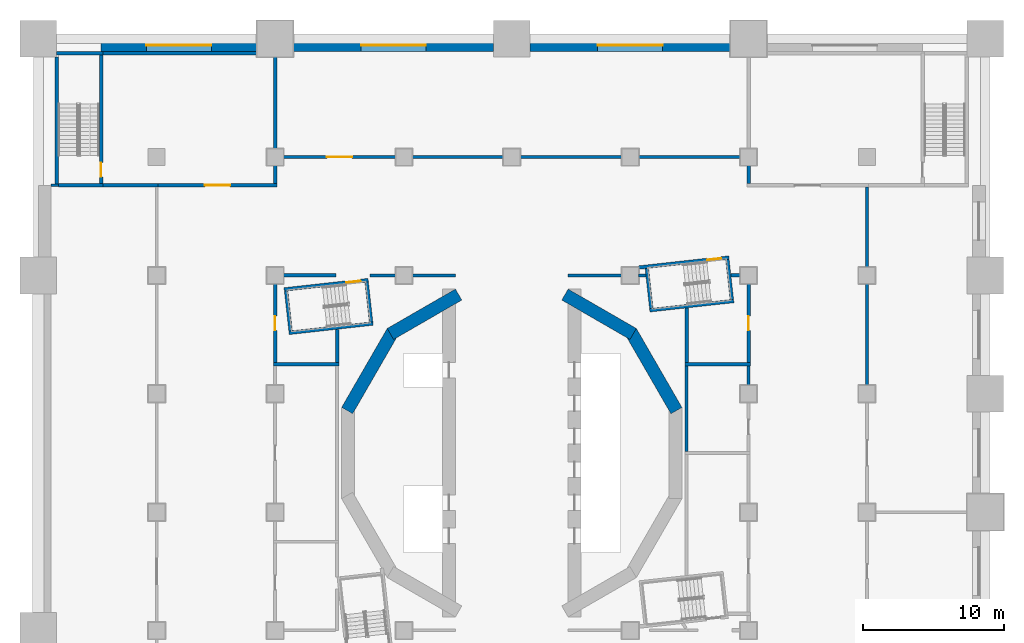
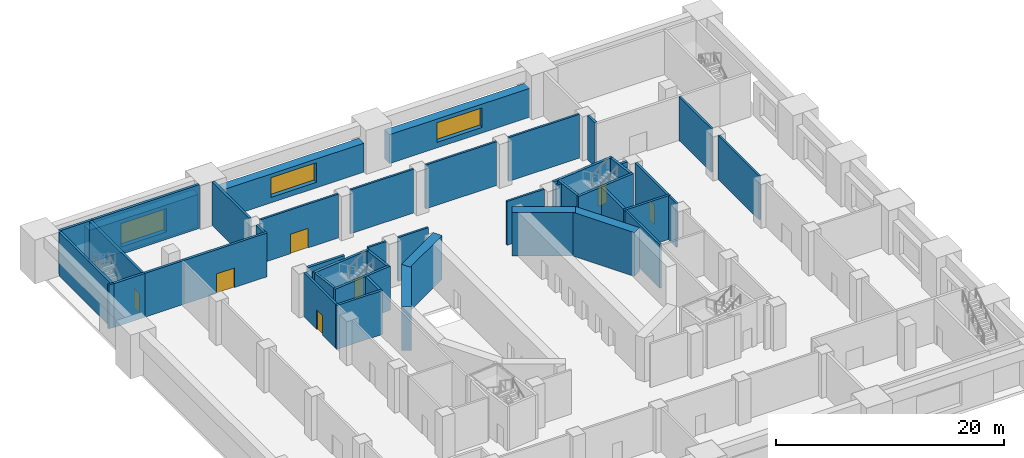
# One storey, part 4 of 17: 46 walls, 7 doors, 3 windows, 10 openings.
"""IFC4 building model written with IfcOpenShell, lengths in metres."""

import ifcopenshell
import ifcopenshell.guid

model = None  # the IFC model being written
_history = None  # IfcOwnerHistory: only IFC2X3 demands one
_inside = {}  # id of a spatial element -> (the spatial element, [elements in it])
_under = {}  # id of a project, library or spatial element -> (it, [spatial elements below it])
_declared = {}  # id of a project -> (the project, [libraries it declares])
_typed = {}  # id of a type object -> (the type object, [elements of that type])
_made_of = {}  # id of a material, layer set ... -> (it, [elements and type objects made of it])


def new_model(schema):
    """Start an empty IFC model of exactly this schema.

    Asked for "IFC4X3", IfcOpenShell would pick the latest addendum, in which some entities
    have other attributes; the version numbers below select the first issue.
    IFC2X3 requires an IfcOwnerHistory on every rooted entity: one is made here for all.
    """
    global model, _history
    if schema == "IFC4X3":
        model = ifcopenshell.file(schema_version=(4, 3, 0, 0))
    else:
        model = ifcopenshell.file(schema=schema)
    _inside.clear()
    _under.clear()
    _declared.clear()
    _typed.clear()
    _made_of.clear()
    _history = None
    if model.schema == "IFC2X3":
        org = make("IfcOrganization", Name="unknown")
        user = make(
            "IfcPersonAndOrganization",
            ThePerson=make("IfcPerson", FamilyName="unknown"),
            TheOrganization=org,
        )
        app = make(
            "IfcApplication",
            ApplicationDeveloper=org,
            Version="unknown",
            ApplicationFullName="unknown",
            ApplicationIdentifier="unknown",
        )
        _history = make(
            "IfcOwnerHistory",
            OwningUser=user,
            OwningApplication=app,
            ChangeAction="ADDED",
            CreationDate=0,
        )
    return model


def make(cls, **values):
    """One entity of the class cls with the attributes given. An attribute that is None is left unset."""
    return model.create_entity(
        cls, **{name: value for name, value in values.items() if value is not None}
    )


def rooted(cls, **values):
    """An entity with a GlobalId (a new one), such as an element, a storey or a relation."""
    return make(cls, GlobalId=ifcopenshell.guid.new(), OwnerHistory=_history, **values)


def si_unit(unit_type, name, prefix=None):
    """IfcSIUnit, for example si_unit("LENGTHUNIT", "METRE", prefix="MILLI")."""
    return make("IfcSIUnit", UnitType=unit_type, Prefix=prefix, Name=name)


def assignment(units):
    """IfcUnitAssignment: the units of a project."""
    return None if units is None else make("IfcUnitAssignment", Units=units)


def point(xyz):
    """IfcCartesianPoint."""
    return None if xyz is None else make("IfcCartesianPoint", Coordinates=xyz)


def direction(xyz):
    """IfcDirection."""
    return None if xyz is None else make("IfcDirection", DirectionRatios=xyz)


def frame(location, z_axis=None, x_axis=None):
    """IfcAxis2Placement3D, a coordinate frame: its origin and axes. An axis left out is left unset."""
    return make(
        "IfcAxis2Placement3D",
        Location=point(location),
        Axis=direction(z_axis),
        RefDirection=direction(x_axis),
    )


def frame_2d(location, x_axis=None):
    """IfcAxis2Placement2D, a coordinate frame in the plane: its origin and x axis."""
    return make(
        "IfcAxis2Placement2D", Location=point(location), RefDirection=direction(x_axis)
    )


def origin():
    """The frame at (0, 0, 0) with its axes left unset."""
    return frame((0.0, 0.0, 0.0))


def place(relative_to, where):
    """IfcLocalPlacement: puts the frame where relative to a parent placement (None: the world)."""
    return make(
        "IfcLocalPlacement", PlacementRelTo=relative_to, RelativePlacement=where
    )


def context(
    kind, dimensions, precision=None, world=None, true_north=None, identifier=None
):
    """IfcGeometricRepresentationContext, for example the 3D "Model" context."""
    return make(
        "IfcGeometricRepresentationContext",
        ContextIdentifier=identifier,
        ContextType=kind,
        CoordinateSpaceDimension=dimensions,
        Precision=precision,
        WorldCoordinateSystem=world,
        TrueNorth=true_north,
    )


def subcontext(parent, identifier, kind, view, scale=None):
    """IfcGeometricRepresentationSubContext, for example "Body" below "Model"."""
    return make(
        "IfcGeometricRepresentationSubContext",
        ContextIdentifier=identifier,
        ContextType=kind,
        ParentContext=parent,
        TargetScale=scale,
        TargetView=view,
    )


def project(units=None, contexts=None):
    """IfcProject with its units and contexts."""
    return rooted(
        "IfcProject",
        Name="project",
        RepresentationContexts=contexts,
        UnitsInContext=assignment(units),
    )


def spatial(cls, under=None, at=None, **own):
    """A site, building, storey or space (cls), placed at a placement, below another one or the project."""
    s = rooted(cls, ObjectPlacement=at, **own)
    if under is not None:
        _under.setdefault(under.id(), (under, []))[1].append(s)
    return s


def profile(cls, at=None, kind="AREA", **sizes):
    """A parametric profile (cls). Its sizes go by their IFC names, for example OverallWidth=200.0."""
    return make(cls, ProfileType=kind, Position=at, **sizes)


def rectangle(**sizes):
    """IfcRectangleProfileDef."""
    return profile("IfcRectangleProfileDef", **sizes)


def extrude(swept, where, along, depth):
    """IfcExtrudedAreaSolid: the profile swept, set in the frame where, extruded along a direction by depth."""
    return make(
        "IfcExtrudedAreaSolid",
        SweptArea=swept,
        Position=where,
        ExtrudedDirection=direction(along),
        Depth=depth,
    )


def shape(context_of_items, identifier, shape_type, items):
    """IfcShapeRepresentation: the items that make up one representation, for example the "Body"."""
    return make(
        "IfcShapeRepresentation",
        ContextOfItems=context_of_items,
        RepresentationIdentifier=identifier,
        RepresentationType=shape_type,
        Items=items,
    )


def material(Name=None, Category=None):
    """IfcMaterial."""
    return make("IfcMaterial", Name=Name, Category=Category)


def layer(
    of_material, thickness, ventilated=None, Name=None, Category=None, Priority=None
):
    """IfcMaterialLayer: one layer of a wall or slab, of a material (None: an air gap)."""
    return make(
        "IfcMaterialLayer",
        Material=of_material,
        LayerThickness=thickness,
        IsVentilated=ventilated,
        Name=Name,
        Category=Category,
        Priority=Priority,
    )


def layer_set(layers, Name=None):
    """IfcMaterialLayerSet."""
    return make("IfcMaterialLayerSet", MaterialLayers=layers, LayerSetName=Name)


def made_of(thing, what):
    """Note that an element or type object is made of a material, layer set ...; save() writes the relation."""
    if what is not None:
        _made_of.setdefault(what.id(), (what, []))[1].append(thing)
    return thing


def type_object(cls, material=None, **own):
    """A type object (cls), such as IfcWallType, which elements share."""
    return made_of(rooted(cls, **own), material)


def element(
    cls,
    number,
    at=None,
    inside=None,
    cuts=None,
    type_object=None,
    material=None,
    context=None,
    identifier="Body",
    shape_type=None,
    held_by="IfcProductDefinitionShape",
    body=None,
    shapes=None,
    **own,
):
    """One element of the class cls, such as IfcWall. Its Tag is "e" and its number.

    at: its placement. inside: the storey or other place that contains it. cuts: it is an
    opening in that element (IfcRelVoidsElement). A single representation is given by context,
    identifier, shape_type and body (its items); several are given by shapes. held_by: the class
    of the entity that holds the representations. save() writes the other relations.
    """
    e = rooted(cls, Tag="e%d" % number, ObjectPlacement=at, **own)
    if body is not None:
        shapes = [shape(context, identifier, shape_type, body)]
    if shapes is not None:
        e.Representation = make(held_by, Representations=shapes)
    if inside is not None:
        _inside.setdefault(inside.id(), (inside, []))[1].append(e)
    if cuts is not None:
        rooted(
            "IfcRelVoidsElement", RelatingBuildingElement=cuts, RelatedOpeningElement=e
        )
    if type_object is not None:
        _typed.setdefault(type_object.id(), (type_object, []))[1].append(e)
    return made_of(e, material)


def fill(opening, filler):
    """IfcRelFillsElement: the door or window that sits in an opening."""
    return rooted(
        "IfcRelFillsElement",
        RelatingOpeningElement=opening,
        RelatedBuildingElement=filler,
    )


def aggregate(whole, parts):
    """IfcRelAggregates: a whole, such as a stair, and the parts it consists of."""
    return rooted("IfcRelAggregates", RelatingObject=whole, RelatedObjects=parts)


def save(model, path):
    """Write the relations noted so far, then the file.

    IfcRelAggregates (storeys below a building ...), IfcRelContainedInSpatialStructure (elements
    in a storey), IfcRelDefinesByType, IfcRelAssociatesMaterial and IfcRelDeclares: one each for
    every whole, place, type object, material and project.
    """
    for whole, parts in _under.values():
        aggregate(whole, parts)
    for where, things in _inside.values():
        rooted(
            "IfcRelContainedInSpatialStructure",
            RelatedElements=things,
            RelatingStructure=where,
        )
    for kind, things in _typed.values():
        rooted("IfcRelDefinesByType", RelatedObjects=things, RelatingType=kind)
    for what, things in _made_of.values():
        rooted("IfcRelAssociatesMaterial", RelatedObjects=things, RelatingMaterial=what)
    for by, libraries in _declared.values():
        rooted("IfcRelDeclares", RelatingContext=by, RelatedDefinitions=libraries)
    model.write(path)


model = new_model("IFC4")

# Units and contexts
model_context = context("Model", 3, precision=1e-05, world=origin(), true_north=direction((0.0, 1.0)))
body_context = subcontext(model_context, "Body", "Model", "MODEL_VIEW")
ifc_project = project(units=[si_unit("LENGTHUNIT", "METRE"), si_unit("AREAUNIT", "SQUARE_METRE"), si_unit("VOLUMEUNIT", "CUBIC_METRE"), si_unit("PLANEANGLEUNIT", "RADIAN"), si_unit("MASSUNIT", "GRAM", prefix="KILO")], contexts=[model_context])

# Site, building, storey
site_placement = place(None, origin())
site = spatial("IfcSite", under=ifc_project, at=site_placement, CompositionType="ELEMENT")
building_placement = place(site_placement, origin())
building = spatial("IfcBuilding", under=site, at=building_placement, Name="Cantera Rosa Tower", CompositionType="ELEMENT")
storey_placement = place(building_placement, frame((0.0, 0.0, 27.0)))
storey = spatial("IfcBuildingStorey", under=building, at=storey_placement, Name="L04", CompositionType="ELEMENT", Elevation=27.0)

# Walls
ifc_material_1 = material(Name="Masonry blockwork", Category="masonry")
ifc_layer_1 = layer(ifc_material_1, 0.199951171875)
ifc_layer_set_1 = layer_set([ifc_layer_1], Name="Blockwork partition 200")
wall_type_1 = type_object("IfcWallType", Name="Blockwork partition 200", PredefinedType="PARTITIONING", material=ifc_layer_set_1)
wall_1_placement = place(storey_placement, frame((-10.07470703125, 12.60009765625, 0.0), z_axis=(0.0, 0.0, 1.0), x_axis=(1.0, 0.0, 0.0)))
element("IfcWall", 1, at=wall_1_placement, inside=storey, type_object=wall_type_1, Name="Partition L04-12", PredefinedType="PARTITIONING", context=body_context, shape_type="SweptSolid", body=[
    extrude(rectangle(XDim=1.82470703125, YDim=0.199951171875, at=frame_2d((0.912353515625, 0.0))), origin(), (0.0, 0.0, 1.0), 4.699951171875),
])
wall_2_placement = place(storey_placement, frame((-7.050048828125, 12.60009765625, 0.0), z_axis=(0.0, 0.0, 1.0), x_axis=(1.0, 0.0, 0.0)))
element("IfcWall", 2, at=wall_2_placement, inside=storey, type_object=wall_type_1, Name="Partition L04-13", PredefinedType="PARTITIONING", context=body_context, shape_type="SweptSolid", body=[
    extrude(rectangle(XDim=3.050048828125, YDim=0.199951171875, at=frame_2d((1.52490234375, 0.0))), origin(), (0.0, 0.0, 1.0), 4.699951171875),
])
wall_3_placement = place(storey_placement, frame((4.0, 12.60009765625, 0.0), z_axis=(0.0, 0.0, 1.0), x_axis=(1.0, 0.0, 0.0)))
element("IfcWall", 3, at=wall_3_placement, inside=storey, type_object=wall_type_1, Name="Partition L04-14", PredefinedType="PARTITIONING", context=body_context, shape_type="SweptSolid", body=[
    extrude(rectangle(XDim=3.800048828125, YDim=0.199951171875, at=frame_2d((1.89990234375, 0.0))), origin(), (0.0, 0.0, 1.0), 4.699951171875),
])
wall_4_placement = place(storey_placement, frame((9.0, 12.60009765625, 0.0), z_axis=(0.0, 0.0, 1.0), x_axis=(1.0, 0.0, 0.0)))
element("IfcWall", 4, at=wall_4_placement, inside=storey, type_object=wall_type_1, Name="Partition L04-15", PredefinedType="PARTITIONING", context=body_context, shape_type="SweptSolid", body=[
    extrude(rectangle(XDim=0.514892578125, YDim=0.199951171875, at=frame_2d((0.25732421875, 0.0))), origin(), (0.0, 0.0, 1.0), 4.699951171875),
])
wall_5_placement = place(storey_placement, frame((12.39990234375, 0.10009765625, 0.0), z_axis=(0.0, 0.0, 1.0), x_axis=(0.0, 1.0, 0.0)))
element("IfcWall", 5, at=wall_5_placement, inside=storey, type_object=wall_type_1, Name="Partition L04-19", PredefinedType="PARTITIONING", context=body_context, shape_type="SweptSolid", body=[
    extrude(rectangle(XDim=6.074951171875, YDim=0.199951171875, at=frame_2d((3.03759765625, 0.0))), origin(), (0.0, 0.0, 1.0), 4.699951171875),
])
wall_6_placement = place(storey_placement, frame((16.800048828125, 4.800048828125, 0.0), z_axis=(0.0, 0.0, 1.0), x_axis=(0.0, 1.0, 0.0)))
element("IfcWall", 6, at=wall_6_placement, inside=storey, type_object=wall_type_1, Name="Partition L04-28", PredefinedType="PARTITIONING", context=body_context, shape_type="SweptSolid", body=[
    extrude(rectangle(XDim=1.375, YDim=0.199951171875, at=frame_2d((0.6875, 0.0))), origin(), (0.0, 0.0, 1.0), 4.699951171875),
])
wall_7_placement = place(storey_placement, frame((-32.699951171875, 19.0, 0.0), z_axis=(0.0, 0.0, 1.0), x_axis=(1.0, 0.0, 0.0)))
element("IfcWall", 7, at=wall_7_placement, inside=storey, type_object=wall_type_1, Name="Partition L04-54", PredefinedType="PARTITIONING", context=body_context, shape_type="SweptSolid", body=[
    extrude(rectangle(XDim=0.52490234375, YDim=0.199951171875, at=frame_2d((0.262451171875, 0.0))), origin(), (0.0, 0.0, 1.0), 4.699951171875),
])

# Wall, opening, door
wall_8_placement = place(storey_placement, frame((-16.199951171875, 21.0, 0.0), z_axis=(0.0, 0.0, 1.0), x_axis=(1.0, 0.0, 0.0)))
wall_8 = element("IfcWall", 8, at=wall_8_placement, inside=storey, type_object=wall_type_1, Name="Partition L04-76", PredefinedType="PARTITIONING", context=body_context, shape_type="SweptSolid", body=[
    extrude(rectangle(XDim=7.949951171875, YDim=0.199951171875, at=frame_2d((3.97509765625, 0.0))), origin(), (0.0, 0.0, 1.0), 4.699951171875),
])
opening_1_placement = place(wall_8_placement, frame((3.074951171875, 0.0, 0.0)))
opening_1 = element("IfcOpeningElement", 9, at=opening_1_placement, cuts=wall_8, Name="Opening L04-001", PredefinedType="OPENING", context=body_context, shape_type="SweptSolid", body=[
    extrude(rectangle(XDim=1.800048828125, YDim=2.10009765625, at=frame_2d((0.89990234375, 1.050048828125))), frame((0.0, 0.10986328125, 0.0), z_axis=(0.0, -1.0, 0.0), x_axis=(1.0, 0.0, 0.0)), (0.0, 0.0, 1.0), 0.219970703125),
])
ifc_material_2 = material(Name="Timber", Category="wood")
door_type_1 = type_object("IfcDoorType", Name="Double door 1800x2100", OperationType="NOTDEFINED", PredefinedType="DOOR", material=ifc_material_2)
door_1_placement = place(opening_1_placement, origin())
door_1 = element("IfcDoor", 10, at=door_1_placement, inside=storey, type_object=door_type_1, Name="Door L04-001", OperationType="DOUBLE_DOOR_SINGLE_SWING", OverallHeight=2.10009765625, OverallWidth=1.800048828125, PredefinedType="DOOR", context=body_context, shape_type="SweptSolid", body=[
    extrude(rectangle(XDim=1.800048828125, YDim=2.10009765625, at=frame_2d((0.89990234375, 1.050048828125))), frame((0.0, 0.02490234375, 0.0), z_axis=(0.0, -1.0, 0.0), x_axis=(1.0, 0.0, 0.0)), (0.0, 0.0, 1.0), 0.050048828125),
])
fill(opening_1, door_1)

# Walls
wall_9_placement = place(storey_placement, frame((-7.050048828125, 21.0, 0.0), z_axis=(0.0, 0.0, 1.0), x_axis=(1.0, 0.0, 0.0)))
element("IfcWall", 11, at=wall_9_placement, inside=storey, type_object=wall_type_1, Name="Partition L04-77", PredefinedType="PARTITIONING", context=body_context, shape_type="SweptSolid", body=[
    extrude(rectangle(XDim=6.449951171875, YDim=0.199951171875, at=frame_2d((3.22509765625, 0.0))), origin(), (0.0, 0.0, 1.0), 4.699951171875),
])
for number, where, z_axis, x_axis, name in (
    (12, (0.60009765625, 21.0, 0.0), (0.0, 0.0, 1.0), (1.0, 0.0, 0.0), "Partition L04-78"),
    (13, (9.0, 21.0, 0.0), (0.0, 0.0, 1.0), (1.0, 0.0, 0.0), "Partition L04-79"),
    (14, (25.199951171875, 4.800048828125, 0.0), (0.0, 0.0, 1.0), (0.0, 1.0, 0.0), "Partition L04-89"),
):
    element("IfcWall", number, at=place(storey_placement, frame(where, z_axis=z_axis, x_axis=x_axis)), inside=storey, type_object=wall_type_1, Name=name, PredefinedType="PARTITIONING", context=body_context, shape_type="SweptSolid", body=[
        extrude(rectangle(XDim=7.199951171875, YDim=0.199951171875, at=frame_2d((3.60009765625, 0.0))), origin(), (0.0, 0.0, 1.0), 4.699951171875),
    ])
wall_10_placement = place(storey_placement, frame((25.199951171875, 13.199951171875, 0.0), z_axis=(0.0, 0.0, 1.0), x_axis=(0.0, 1.0, 0.0)))
element("IfcWall", 15, at=wall_10_placement, inside=storey, type_object=wall_type_1, Name="Partition L04-90", PredefinedType="PARTITIONING", context=body_context, shape_type="SweptSolid", body=[
    extrude(rectangle(XDim=5.675048828125, YDim=0.199951171875, at=frame_2d((2.83740234375, 0.0))), origin(), (0.0, 0.0, 1.0), 4.699951171875),
])
ifc_material_3 = material(Name="Concrete C70/85", Category="concrete")
ifc_layer_2 = layer(ifc_material_3, 0.89990234375)
ifc_layer_set_2 = layer_set([ifc_layer_2], Name="Drum wall 900")
wall_type_2 = type_object("IfcWallType", Name="Drum wall 900", PredefinedType="SHEAR", material=ifc_layer_set_2)
wall_11_placement = place(storey_placement, frame((-11.684326171875, 3.01025390625, 0.0), z_axis=(0.0, 0.0, 1.0), x_axis=(0.499990282633, 0.866031014036, 0.0)))
element("IfcWall", 16, at=wall_11_placement, inside=storey, type_object=wall_type_2, Name="Drum wall west 4 L04", PredefinedType="SHEAR", context=body_context, shape_type="SweptSolid", body=[
    extrude(rectangle(XDim=6.470458984375, YDim=0.89990234375, at=frame_2d((3.2353515625, 0.0))), origin(), (0.0, 0.0, 1.0), 4.699951171875),
])
for number, where, z_axis, x_axis, name in (
    (17, (-8.61376953125, 8.44921875, 0.0), (0.0, 0.0, 1.0), (0.866026961591, 0.49999730179, 0.0), "Drum wall west 5 L04"),
    (18, (3.77490234375, 11.242919921875, 0.0), (0.0, 0.0, 1.0), (0.866026961591, -0.49999730179, 0.0), "Drum wall east 1 L04"),
):
    element("IfcWall", number, at=place(storey_placement, frame(where, z_axis=z_axis, x_axis=x_axis)), inside=storey, type_object=wall_type_2, Name=name, PredefinedType="SHEAR", context=body_context, shape_type="SweptSolid", body=[
        extrude(rectangle(XDim=5.58740234375, YDim=0.89990234375, at=frame_2d((2.793701171875, 0.0))), origin(), (0.0, 0.0, 1.0), 4.699951171875),
    ])
wall_12_placement = place(storey_placement, frame((8.44921875, 8.61376953125, 0.0), z_axis=(0.0, 0.0, 1.0), x_axis=(0.499990282633, -0.866031014036, 0.0)))
element("IfcWall", 19, at=wall_12_placement, inside=storey, type_object=wall_type_2, Name="Drum wall east 2 L04", PredefinedType="SHEAR", context=body_context, shape_type="SweptSolid", body=[
    extrude(rectangle(XDim=6.470458984375, YDim=0.89990234375, at=frame_2d((3.2353515625, 0.0))), origin(), (0.0, 0.0, 1.0), 4.699951171875),
])
ifc_material_4 = material(Name="Concrete C50/60", Category="concrete")
ifc_layer_3 = layer(ifc_material_4, 0.25)
ifc_layer_set_3 = layer_set([ifc_layer_3], Name="External stair wall 250")
wall_type_3 = type_object("IfcWallType", Name="External stair wall 250", PredefinedType="SOLIDWALL", material=ifc_layer_set_3)
wall_13_placement = place(storey_placement, frame((-32.300048828125, 28.375, 0.0), z_axis=(0.0, 0.0, 1.0), x_axis=(1.0, 0.0, 0.0)))
element("IfcWall", 20, at=wall_13_placement, inside=storey, type_object=wall_type_3, Name="Stair wall L04-48", PredefinedType="SOLIDWALL", context=body_context, shape_type="SweptSolid", body=[
    extrude(rectangle(XDim=3.275146484375, YDim=0.25, at=frame_2d((1.6376953125, 0.0))), origin(), (0.0, 0.0, 1.0), 4.699951171875),
])
ifc_material_5 = material(Name="Masonry blockwork", Category="masonry")
ifc_layer_4 = layer(ifc_material_5, 0.25)
ifc_layer_set_4 = layer_set([ifc_layer_4], Name="Fire-rated external wall 250")
wall_type_4 = type_object("IfcWallType", Name="Fire-rated external wall 250", PredefinedType="PARTITIONING", material=ifc_layer_set_4)
wall_14_placement = place(storey_placement, frame((-29.02490234375, 28.375, 0.0), z_axis=(0.0, 0.0, 1.0), x_axis=(1.0, 0.0, 0.0)))
element("IfcWall", 21, at=wall_14_placement, inside=storey, type_object=wall_type_4, Name="Fire wall L04-49", PredefinedType="PARTITIONING", context=body_context, shape_type="SweptSolid", body=[
    extrude(rectangle(XDim=10.9248046875, YDim=0.25, at=frame_2d((5.46240234375, 0.0))), origin(), (0.0, 0.0, 1.0), 4.699951171875),
])
ifc_material_6 = material(Name="Masonry blockwork", Category="masonry")
ifc_layer_5 = layer(ifc_material_6, 0.25)
ifc_layer_set_5 = layer_set([ifc_layer_5], Name="Fire-rated wall 250")
wall_type_5 = type_object("IfcWallType", Name="Fire-rated wall 250", PredefinedType="PARTITIONING", material=ifc_layer_set_5)
wall_15_placement = place(storey_placement, frame((-12.39990234375, 6.425048828125, 0.0), z_axis=(0.0, 0.0, 1.0), x_axis=(0.0, 1.0, 0.0)))
element("IfcWall", 22, at=wall_15_placement, inside=storey, type_object=wall_type_5, Name="Fire wall L04-10", PredefinedType="PARTITIONING", context=body_context, shape_type="SweptSolid", body=[
    extrude(rectangle(XDim=2.356201171875, YDim=0.25, at=frame_2d((1.17822265625, 0.0))), origin(), (0.0, 0.0, 1.0), 4.699951171875),
])
wall_16_placement = place(storey_placement, frame((-16.199951171875, 12.60009765625, 0.0), z_axis=(0.0, 0.0, 1.0), x_axis=(1.0, 0.0, 0.0)))
element("IfcWall", 23, at=wall_16_placement, inside=storey, type_object=wall_type_5, Name="Fire wall L04-11", PredefinedType="PARTITIONING", context=body_context, shape_type="SweptSolid", body=[
    extrude(rectangle(XDim=3.71044921875, YDim=0.25, at=frame_2d((1.855224609375, 0.0))), origin(), (0.0, 0.0, 1.0), 4.699951171875),
])
wall_17_placement = place(storey_placement, frame((15.5517578125, 12.60009765625, 0.0), z_axis=(0.0, 0.0, 1.0), x_axis=(1.0, 0.0, 0.0)))
element("IfcWall", 24, at=wall_17_placement, inside=storey, type_object=wall_type_5, Name="Fire wall L04-16", PredefinedType="PARTITIONING", context=body_context, shape_type="SweptSolid", body=[
    extrude(rectangle(XDim=0.648193359375, YDim=0.25, at=frame_2d((0.32421875, 0.0))), origin(), (0.0, 0.0, 1.0), 4.699951171875),
])

# Wall, opening, door
wall_18_placement = place(storey_placement, frame((16.800048828125, 6.425048828125, 0.0), z_axis=(0.0, 0.0, 1.0), x_axis=(0.0, 1.0, 0.0)))
wall_18 = element("IfcWall", 25, at=wall_18_placement, inside=storey, type_object=wall_type_5, Name="Fire wall L04-29", PredefinedType="PARTITIONING", context=body_context, shape_type="SweptSolid", body=[
    extrude(rectangle(XDim=5.574951171875, YDim=0.25, at=frame_2d((2.78759765625, 0.0))), origin(), (0.0, 0.0, 1.0), 4.699951171875),
])
opening_2_placement = place(wall_18_placement, frame((2.28759765625, 0.0, 0.0)))
opening_2 = element("IfcOpeningElement", 26, at=opening_2_placement, cuts=wall_18, Name="Opening L04-009", PredefinedType="OPENING", context=body_context, shape_type="SweptSolid", body=[
    extrude(rectangle(XDim=1.0, YDim=2.10009765625, at=frame_2d((0.5, 1.050048828125))), frame((0.0, 0.135009765625, 0.0), z_axis=(0.0, -1.0, 0.0), x_axis=(1.0, 0.0, 0.0)), (0.0, 0.0, 1.0), 0.27001953125),
])
ifc_material_7 = material(Name="Steel S355J2 (EN 10025-2)", Category="steel")
door_type_2 = type_object("IfcDoorType", Name="Fire door 1000x2100 EI 120", OperationType="NOTDEFINED", PredefinedType="DOOR", material=ifc_material_7)
door_2_placement = place(opening_2_placement, origin())
door_2 = element("IfcDoor", 27, at=door_2_placement, inside=storey, type_object=door_type_2, Name="Door L04-009", OverallHeight=2.10009765625, OverallWidth=1.0, PredefinedType="DOOR", context=body_context, shape_type="SweptSolid", body=[
    extrude(rectangle(XDim=1.0, YDim=2.10009765625, at=frame_2d((0.5, 1.050048828125))), frame((0.0, 0.02490234375, 0.0), z_axis=(0.0, -1.0, 0.0), x_axis=(1.0, 0.0, 0.0)), (0.0, 0.0, 1.0), 0.050048828125),
])
fill(opening_2, door_2)

# Walls
wall_19_placement = place(storey_placement, frame((16.800048828125, 19.125, 0.0), z_axis=(0.0, 0.0, 1.0), x_axis=(0.0, 1.0, 0.0)))
element("IfcWall", 28, at=wall_19_placement, inside=storey, type_object=wall_type_5, Name="Fire wall L04-30", PredefinedType="PARTITIONING", context=body_context, shape_type="SweptSolid", body=[
    extrude(rectangle(XDim=1.27490234375, YDim=0.25, at=frame_2d((0.637451171875, 0.0))), origin(), (0.0, 0.0, 1.0), 4.699951171875),
])
for number, where, z_axis, x_axis, name in (
    (29, (-16.925048828125, 6.300048828125, 0.0), (0.0, 0.0, 1.0), (1.0, 0.0, 0.0), "Fire wall L04-33"),
    (30, (12.27490234375, 6.300048828125, 0.0), (0.0, 0.0, 1.0), (1.0, 0.0, 0.0), "Fire wall L04-34"),
):
    element("IfcWall", number, at=place(storey_placement, frame(where, z_axis=z_axis, x_axis=x_axis)), inside=storey, type_object=wall_type_5, Name=name, PredefinedType="PARTITIONING", context=body_context, shape_type="SweptSolid", body=[
        extrude(rectangle(XDim=4.650146484375, YDim=0.25, at=frame_2d((2.3251953125, 0.0))), origin(), (0.0, 0.0, 1.0), 4.699951171875),
    ])

# Wall, opening, door
wall_20_placement = place(storey_placement, frame((-16.800048828125, 6.425048828125, 0.0), z_axis=(0.0, 0.0, 1.0), x_axis=(0.0, 1.0, 0.0)))
wall_20 = element("IfcWall", 31, at=wall_20_placement, inside=storey, type_object=wall_type_5, Name="Fire wall L04-41", PredefinedType="PARTITIONING", context=body_context, shape_type="SweptSolid", body=[
    extrude(rectangle(XDim=5.574951171875, YDim=0.25, at=frame_2d((2.78759765625, 0.0))), origin(), (0.0, 0.0, 1.0), 4.699951171875),
])
opening_3_placement = place(wall_20_placement, frame((2.28759765625, 0.0, 0.0)))
opening_3 = element("IfcOpeningElement", 32, at=opening_3_placement, cuts=wall_20, Name="Opening L04-012", PredefinedType="OPENING", context=body_context, shape_type="SweptSolid", body=[
    extrude(rectangle(XDim=1.0, YDim=2.10009765625, at=frame_2d((0.5, 1.050048828125))), frame((0.0, 0.135009765625, 0.0), z_axis=(0.0, -1.0, 0.0), x_axis=(1.0, 0.0, 0.0)), (0.0, 0.0, 1.0), 0.27001953125),
])
door_3_placement = place(opening_3_placement, origin())
door_3 = element("IfcDoor", 33, at=door_3_placement, inside=storey, type_object=door_type_2, Name="Door L04-012", OverallHeight=2.10009765625, OverallWidth=1.0, PredefinedType="DOOR", context=body_context, shape_type="SweptSolid", body=[
    extrude(rectangle(XDim=1.0, YDim=2.10009765625, at=frame_2d((0.5, 1.050048828125))), frame((0.0, 0.02490234375, 0.0), z_axis=(0.0, -1.0, 0.0), x_axis=(1.0, 0.0, 0.0)), (0.0, 0.0, 1.0), 0.050048828125),
])
fill(opening_3, door_3)

# Walls
wall_21_placement = place(storey_placement, frame((-16.800048828125, 19.125, 0.0), z_axis=(0.0, 0.0, 1.0), x_axis=(0.0, 1.0, 0.0)))
element("IfcWall", 34, at=wall_21_placement, inside=storey, type_object=wall_type_5, Name="Fire wall L04-42", PredefinedType="PARTITIONING", context=body_context, shape_type="SweptSolid", body=[
    extrude(rectangle(XDim=1.27490234375, YDim=0.25, at=frame_2d((0.637451171875, 0.0))), origin(), (0.0, 0.0, 1.0), 4.699951171875),
])
wall_22_placement = place(storey_placement, frame((-16.800048828125, 21.60009765625, 0.0), z_axis=(0.0, 0.0, 1.0), x_axis=(0.0, 1.0, 0.0)))
element("IfcWall", 35, at=wall_22_placement, inside=storey, type_object=wall_type_5, Name="Fire wall L04-43", PredefinedType="PARTITIONING", context=body_context, shape_type="SweptSolid", body=[
    extrude(rectangle(XDim=6.5, YDim=0.25, at=frame_2d((3.25, 0.0))), origin(), (0.0, 0.0, 1.0), 4.699951171875),
])
wall_23_placement = place(storey_placement, frame((-29.02490234375, 19.0, 0.0), z_axis=(0.0, 0.0, 1.0), x_axis=(1.0, 0.0, 0.0)))
element("IfcWall", 36, at=wall_23_placement, inside=storey, type_object=wall_type_5, Name="Fire wall L04-56", PredefinedType="PARTITIONING", context=body_context, shape_type="SweptSolid", body=[
    extrude(rectangle(XDim=3.9248046875, YDim=0.25, at=frame_2d((1.96240234375, 0.0))), origin(), (0.0, 0.0, 1.0), 4.699951171875),
])

# Wall, opening, door
wall_24_placement = place(storey_placement, frame((-25.10009765625, 19.0, 0.0), z_axis=(0.0, 0.0, 1.0), x_axis=(1.0, 0.0, 0.0)))
wall_24 = element("IfcWall", 37, at=wall_24_placement, inside=storey, type_object=wall_type_5, Name="Fire wall L04-57", PredefinedType="PARTITIONING", context=body_context, shape_type="SweptSolid", body=[
    extrude(rectangle(XDim=8.425048828125, YDim=0.25, at=frame_2d((4.21240234375, 0.0))), origin(), (0.0, 0.0, 1.0), 4.699951171875),
])
opening_4_placement = place(wall_24_placement, frame((3.3125, 0.0, 0.0)))
opening_4 = element("IfcOpeningElement", 38, at=opening_4_placement, cuts=wall_24, Name="Opening L04-015", PredefinedType="OPENING", context=body_context, shape_type="SweptSolid", body=[
    extrude(rectangle(XDim=1.800048828125, YDim=2.10009765625, at=frame_2d((0.89990234375, 1.050048828125))), frame((0.0, 0.135009765625, 0.0), z_axis=(0.0, -1.0, 0.0), x_axis=(1.0, 0.0, 0.0)), (0.0, 0.0, 1.0), 0.27001953125),
])
ifc_material_8 = material(Name="Steel S355J2 (EN 10025-2)", Category="steel")
door_type_3 = type_object("IfcDoorType", Name="Fire double door 1800x2100", OperationType="NOTDEFINED", PredefinedType="DOOR", material=ifc_material_8)
door_4_placement = place(opening_4_placement, origin())
door_4 = element("IfcDoor", 39, at=door_4_placement, inside=storey, type_object=door_type_3, Name="Door L04-015", OperationType="DOUBLE_DOOR_SINGLE_SWING", OverallHeight=2.10009765625, OverallWidth=1.800048828125, PredefinedType="DOOR", context=body_context, shape_type="SweptSolid", body=[
    extrude(rectangle(XDim=1.800048828125, YDim=2.10009765625, at=frame_2d((0.89990234375, 1.050048828125))), frame((0.0, 0.02490234375, 0.0), z_axis=(0.0, -1.0, 0.0), x_axis=(1.0, 0.0, 0.0)), (0.0, 0.0, 1.0), 0.050048828125),
])
fill(opening_4, door_4)

# Walls
ifc_material_9 = material(Name="Concrete C50/60", Category="concrete")
ifc_layer_6 = layer(ifc_material_9, 0.25)
ifc_layer_set_6 = layer_set([ifc_layer_6], Name="RC stair wall 250 C50/60")
wall_type_6 = type_object("IfcWallType", Name="RC stair wall 250", PredefinedType="SOLIDWALL", material=ifc_layer_set_6)
wall_25_placement = place(storey_placement, frame((12.39990234375, 6.425048828125, 0.0), z_axis=(0.0, 0.0, 1.0), x_axis=(0.0, 1.0, 0.0)))
element("IfcWall", 40, at=wall_25_placement, inside=storey, type_object=wall_type_6, Name="Fire wall L04-20", PredefinedType="PARTITIONING", context=body_context, shape_type="SweptSolid", body=[
    extrude(rectangle(XDim=3.867431640625, YDim=0.25, at=frame_2d((1.93359375, 0.0))), origin(), (0.0, 0.0, 1.0), 4.699951171875),
])
wall_26_placement = place(storey_placement, frame((-32.175048828125, 19.0, 0.0), z_axis=(0.0, 0.0, 1.0), x_axis=(1.0, 0.0, 0.0)))
element("IfcWall", 41, at=wall_26_placement, inside=storey, type_object=wall_type_6, Name="Stair wall L04-55", PredefinedType="SOLIDWALL", context=body_context, shape_type="SweptSolid", body=[
    extrude(rectangle(XDim=3.150146484375, YDim=0.25, at=frame_2d((1.5751953125, 0.0))), origin(), (0.0, 0.0, 1.0), 4.699951171875),
])

# Wall, opening, door
wall_27_placement = place(storey_placement, frame((-29.14990234375, 19.125, 0.0), z_axis=(0.0, 0.0, 1.0), x_axis=(0.0, 1.0, 0.0)))
wall_27 = element("IfcWall", 42, at=wall_27_placement, inside=storey, type_object=wall_type_6, Name="Stair wall L04-62", PredefinedType="SOLIDWALL", context=body_context, shape_type="SweptSolid", body=[
    extrude(rectangle(XDim=9.25, YDim=0.25, at=frame_2d((4.625, 0.0))), origin(), (0.0, 0.0, 1.0), 4.699951171875),
])
opening_5_placement = place(wall_27_placement, frame((0.47509765625, 0.0, 0.0)))
opening_5 = element("IfcOpeningElement", 43, at=opening_5_placement, cuts=wall_27, Name="Opening L04-016", PredefinedType="OPENING", context=body_context, shape_type="SweptSolid", body=[
    extrude(rectangle(XDim=1.0, YDim=2.10009765625, at=frame_2d((0.5, 1.050048828125))), frame((0.0, 0.135009765625, 0.0), z_axis=(0.0, -1.0, 0.0), x_axis=(1.0, 0.0, 0.0)), (0.0, 0.0, 1.0), 0.27001953125),
])
door_5_placement = place(opening_5_placement, origin())
door_5 = element("IfcDoor", 44, at=door_5_placement, inside=storey, type_object=door_type_2, Name="Door L04-016", OverallHeight=2.10009765625, OverallWidth=1.0, PredefinedType="DOOR", context=body_context, shape_type="SweptSolid", body=[
    extrude(rectangle(XDim=1.0, YDim=2.10009765625, at=frame_2d((0.5, 1.050048828125))), frame((0.0, 0.02490234375, 0.0), z_axis=(0.0, -1.0, 0.0), x_axis=(1.0, 0.0, 0.0)), (0.0, 0.0, 1.0), 0.050048828125),
])
fill(opening_5, door_5)

# Walls
wall_28_placement = place(storey_placement, frame((-32.300048828125, 19.10009765625, 0.0), z_axis=(0.0, 0.0, 1.0), x_axis=(0.0, 1.0, 0.0)))
element("IfcWall", 45, at=wall_28_placement, inside=storey, type_object=wall_type_6, Name="Stair wall L04-64", PredefinedType="SOLIDWALL", context=body_context, shape_type="SweptSolid", body=[
    extrude(rectangle(XDim=9.0, YDim=0.25, at=frame_2d((4.5, 0.0))), origin(), (0.0, 0.0, 1.0), 4.699951171875),
])
wall_29_placement = place(storey_placement, frame((15.30029296875, 13.7333984375, 0.0), z_axis=(0.0, 0.0, 1.0), x_axis=(0.110252878147, -0.99390356819, 0.0)))
element("IfcWall", 46, at=wall_29_placement, inside=storey, type_object=wall_type_6, Name="Stair wall ST-11 L04-1", PredefinedType="SOLIDWALL", context=body_context, shape_type="SweptSolid", body=[
    extrude(rectangle(XDim=2.849853515625, YDim=0.25, at=frame_2d((1.4248046875, 0.0))), origin(), (0.0, 0.0, 1.0), 4.699951171875),
])
wall_30_placement = place(storey_placement, frame((15.752685546875, 10.790283203125, 0.0), z_axis=(0.0, 0.0, 1.0), x_axis=(-0.993897125329, -0.110310943534, 0.0)))
element("IfcWall", 47, at=wall_30_placement, inside=storey, type_object=wall_type_6, Name="Stair wall ST-11 L04-2", PredefinedType="SOLIDWALL", context=body_context, shape_type="SweptSolid", body=[
    extrude(rectangle(XDim=6.0, YDim=0.25, at=frame_2d((3.0, 0.0))), origin(), (0.0, 0.0, 1.0), 4.699951171875),
])
wall_31_placement = place(storey_placement, frame((9.899658203125, 10.2666015625, 0.0), z_axis=(0.0, 0.0, 1.0), x_axis=(-0.110252878147, 0.99390356819, 0.0)))
element("IfcWall", 48, at=wall_31_placement, inside=storey, type_object=wall_type_6, Name="Stair wall ST-11 L04-3", PredefinedType="SOLIDWALL", context=body_context, shape_type="SweptSolid", body=[
    extrude(rectangle(XDim=2.849853515625, YDim=0.25, at=frame_2d((1.4248046875, 0.0))), origin(), (0.0, 0.0, 1.0), 4.699951171875),
])

# Wall, opening, door
wall_32_placement = place(storey_placement, frame((9.003662109375, 13.160400390625, 0.0), z_axis=(0.0, 0.0, 1.0), x_axis=(0.993895737244, 0.1103234494, 0.0)))
wall_32 = element("IfcWall", 49, at=wall_32_placement, inside=storey, type_object=wall_type_6, Name="Stair wall ST-11 L04-4", PredefinedType="SOLIDWALL", context=body_context, shape_type="SweptSolid", body=[
    extrude(rectangle(XDim=6.4462890625, YDim=0.25, at=frame_2d((3.22314453125, 0.0))), origin(), (0.0, 0.0, 1.0), 4.699951171875),
])
opening_6_placement = place(wall_32_placement, frame((4.896240234375, 0.0, 0.0)))
opening_6 = element("IfcOpeningElement", 50, at=opening_6_placement, cuts=wall_32, Name="Opening L04-ST-11", PredefinedType="OPENING", context=body_context, shape_type="SweptSolid", body=[
    extrude(rectangle(XDim=1.0, YDim=2.10009765625, at=frame_2d((0.5, 1.050048828125))), frame((0.0, 0.135009765625, 0.0), z_axis=(0.0, -1.0, 0.0), x_axis=(1.0, 0.0, 0.0)), (0.0, 0.0, 1.0), 0.27001953125),
])
door_6_placement = place(opening_6_placement, origin())
door_6 = element("IfcDoor", 51, at=door_6_placement, inside=storey, type_object=door_type_2, Name="Door L04-ST-11", OverallHeight=2.10009765625, OverallWidth=1.0, PredefinedType="DOOR", context=body_context, shape_type="SweptSolid", body=[
    extrude(rectangle(XDim=1.0, YDim=2.10009765625, at=frame_2d((0.5, 1.050048828125))), frame((0.0, 0.02490234375, 0.0), z_axis=(0.0, -1.0, 0.0), x_axis=(1.0, 0.0, 0.0)), (0.0, 0.0, 1.0), 0.050048828125),
])
fill(opening_6, door_6)

# Walls
wall_33_placement = place(storey_placement, frame((-10.2998046875, 12.133544921875, 0.0), z_axis=(0.0, 0.0, 1.0), x_axis=(0.110328108544, -0.993895220063, 0.0)))
element("IfcWall", 52, at=wall_33_placement, inside=storey, type_object=wall_type_6, Name="Stair wall ST-12 L04-1", PredefinedType="SOLIDWALL", context=body_context, shape_type="SweptSolid", body=[
    extrude(rectangle(XDim=2.85009765625, YDim=0.25, at=frame_2d((1.425048828125, 0.0))), origin(), (0.0, 0.0, 1.0), 4.699951171875),
])
wall_34_placement = place(storey_placement, frame((-9.847412109375, 9.1904296875, 0.0), z_axis=(0.0, 0.0, 1.0), x_axis=(-0.993897125329, -0.110310943534, 0.0)))
element("IfcWall", 53, at=wall_34_placement, inside=storey, type_object=wall_type_6, Name="Stair wall ST-12 L04-2", PredefinedType="SOLIDWALL", context=body_context, shape_type="SweptSolid", body=[
    extrude(rectangle(XDim=6.0, YDim=0.25, at=frame_2d((3.0, 0.0))), origin(), (0.0, 0.0, 1.0), 4.699951171875),
])
wall_35_placement = place(storey_placement, frame((-15.7001953125, 8.66650390625, 0.0), z_axis=(0.0, 0.0, 1.0), x_axis=(-0.110328108544, 0.993895220063, 0.0)))
element("IfcWall", 54, at=wall_35_placement, inside=storey, type_object=wall_type_6, Name="Stair wall ST-12 L04-3", PredefinedType="SOLIDWALL", context=body_context, shape_type="SweptSolid", body=[
    extrude(rectangle(XDim=2.85009765625, YDim=0.25, at=frame_2d((1.425048828125, 0.0))), origin(), (0.0, 0.0, 1.0), 4.699951171875),
])

# Wall, opening, door
wall_36_placement = place(storey_placement, frame((-16.152587890625, 11.609619140625, 0.0), z_axis=(0.0, 0.0, 1.0), x_axis=(0.993897125329, 0.110310943534, 0.0)))
wall_36 = element("IfcWall", 55, at=wall_36_placement, inside=storey, type_object=wall_type_6, Name="Stair wall ST-12 L04-4", PredefinedType="SOLIDWALL", context=body_context, shape_type="SweptSolid", body=[
    extrude(rectangle(XDim=6.0, YDim=0.25, at=frame_2d((3.0, 0.0))), origin(), (0.0, 0.0, 1.0), 4.699951171875),
])
opening_7_placement = place(wall_36_placement, frame((4.449951171875, 0.0, 0.0)))
opening_7 = element("IfcOpeningElement", 56, at=opening_7_placement, cuts=wall_36, Name="Opening L04-ST-12", PredefinedType="OPENING", context=body_context, shape_type="SweptSolid", body=[
    extrude(rectangle(XDim=1.0, YDim=2.10009765625, at=frame_2d((0.5, 1.050048828125))), frame((0.0, 0.135009765625, 0.0), z_axis=(0.0, -1.0, 0.0), x_axis=(1.0, 0.0, 0.0)), (0.0, 0.0, 1.0), 0.27001953125),
])
door_7_placement = place(opening_7_placement, origin())
door_7 = element("IfcDoor", 57, at=door_7_placement, inside=storey, type_object=door_type_2, Name="Door L04-ST-12", OverallHeight=2.10009765625, OverallWidth=1.0, PredefinedType="DOOR", context=body_context, shape_type="SweptSolid", body=[
    extrude(rectangle(XDim=1.0, YDim=2.10009765625, at=frame_2d((0.5, 1.050048828125))), frame((0.0, 0.02490234375, 0.0), z_axis=(0.0, -1.0, 0.0), x_axis=(1.0, 0.0, 0.0)), (0.0, 0.0, 1.0), 0.050048828125),
])
fill(opening_7, door_7)

# Wall, opening, window
ifc_material_10 = material(Name="Concrete C40/50 with limestone facing", Category="masonry")
ifc_layer_7 = layer(ifc_material_10, 0.89990234375)
ifc_layer_set_7 = layer_set([ifc_layer_7], Name="Stone podium wall 900")
wall_type_7 = type_object("IfcWallType", Name="Stone podium wall 900", PredefinedType="SOLIDWALL", material=ifc_layer_set_7)
wall_37_placement = place(storey_placement, frame((-29.14990234375, 28.949951171875, 0.0), z_axis=(0.0, 0.0, 1.0), x_axis=(1.0, 0.0, 0.0)))
wall_37 = element("IfcWall", 58, at=wall_37_placement, inside=storey, type_object=wall_type_7, Name="Stone wall N L04-1", PredefinedType="SOLIDWALL", context=body_context, shape_type="SweptSolid", body=[
    extrude(rectangle(XDim=11.0498046875, YDim=0.89990234375, at=frame_2d((5.52490234375, 0.0))), origin(), (0.0, 0.0, 1.0), 3.5),
])
opening_8_placement = place(wall_37_placement, frame((3.22509765625, 0.0, 0.60009765625)))
opening_8 = element("IfcOpeningElement", 59, at=opening_8_placement, cuts=wall_37, Name="Opening L04-PWN1", PredefinedType="OPENING", context=body_context, shape_type="SweptSolid", body=[
    extrude(rectangle(XDim=4.60009765625, YDim=2.5, at=frame_2d((2.300048828125, 1.25))), frame((0.0, 0.4599609375, 0.0), z_axis=(0.0, -1.0, 0.0), x_axis=(1.0, 0.0, 0.0)), (0.0, 0.0, 1.0), 0.919921875),
])
ifc_material_11 = material(Name="Glass", Category="glass")
window_type_1 = type_object("IfcWindowType", Name="Podium window 4600x2500", PartitioningType="SINGLE_PANEL", PredefinedType="WINDOW", material=ifc_material_11)
window_1_placement = place(opening_8_placement, origin())
window_1 = element("IfcWindow", 60, at=window_1_placement, inside=storey, type_object=window_type_1, Name="Podium window L04-N1", OverallHeight=2.5, OverallWidth=4.60009765625, PartitioningType="SINGLE_PANEL", PredefinedType="WINDOW", context=body_context, shape_type="SweptSolid", body=[
    extrude(rectangle(XDim=4.60009765625, YDim=2.5, at=frame_2d((2.300048828125, 1.25))), frame((0.0, 0.030029296875, 0.0), z_axis=(0.0, -1.0, 0.0), x_axis=(1.0, 0.0, 0.0)), (0.0, 0.0, 1.0), 0.06005859375),
])
fill(opening_8, window_1)

ifc_material_12 = material(Name="Concrete C40/50 with limestone facing", Category="masonry")
ifc_layer_8 = layer(ifc_material_12, 0.89990234375)
ifc_layer_set_8 = layer_set([ifc_layer_8], Name="Stone podium wall 900 under deep girder")
wall_type_8 = type_object("IfcWallType", Name="Stone podium wall 900 under deep girder", PredefinedType="SOLIDWALL", material=ifc_layer_set_8)
wall_38_placement = place(storey_placement, frame((-15.5, 28.949951171875, 0.0), z_axis=(0.0, 0.0, 1.0), x_axis=(1.0, 0.0, 0.0)))
wall_38 = element("IfcWall", 61, at=wall_38_placement, inside=storey, type_object=wall_type_8, Name="Stone wall N L04-2", PredefinedType="SOLIDWALL", context=body_context, shape_type="SweptSolid", body=[
    extrude(rectangle(XDim=14.199951171875, YDim=0.89990234375, at=frame_2d((7.10009765625, 0.0))), origin(), (0.0, 0.0, 1.0), 3.10009765625),
])
opening_9_placement = place(wall_38_placement, frame((4.800048828125, 0.0, 0.60009765625)))
opening_9 = element("IfcOpeningElement", 62, at=opening_9_placement, cuts=wall_38, Name="Opening L04-PWN2", PredefinedType="OPENING", context=body_context, shape_type="SweptSolid", body=[
    extrude(rectangle(XDim=4.60009765625, YDim=2.10009765625, at=frame_2d((2.300048828125, 1.050048828125))), frame((0.0, 0.4599609375, 0.0), z_axis=(0.0, -1.0, 0.0), x_axis=(1.0, 0.0, 0.0)), (0.0, 0.0, 1.0), 0.919921875),
])
ifc_material_13 = material(Name="Glass", Category="glass")
window_type_2 = type_object("IfcWindowType", Name="Podium window 4600x2100", PartitioningType="SINGLE_PANEL", PredefinedType="WINDOW", material=ifc_material_13)
window_2_placement = place(opening_9_placement, origin())
window_2 = element("IfcWindow", 63, at=window_2_placement, inside=storey, type_object=window_type_2, Name="Podium window L04-N2", OverallHeight=2.10009765625, OverallWidth=4.60009765625, PartitioningType="SINGLE_PANEL", PredefinedType="WINDOW", context=body_context, shape_type="SweptSolid", body=[
    extrude(rectangle(XDim=4.60009765625, YDim=2.10009765625, at=frame_2d((2.300048828125, 1.050048828125))), frame((0.0, 0.030029296875, 0.0), z_axis=(0.0, -1.0, 0.0), x_axis=(1.0, 0.0, 0.0)), (0.0, 0.0, 1.0), 0.06005859375),
])
fill(opening_9, window_2)

wall_39_placement = place(storey_placement, frame((1.300048828125, 28.949951171875, 0.0), z_axis=(0.0, 0.0, 1.0), x_axis=(1.0, 0.0, 0.0)))
wall_39 = element("IfcWall", 64, at=wall_39_placement, inside=storey, type_object=wall_type_8, Name="Stone wall N L04-3", PredefinedType="SOLIDWALL", context=body_context, shape_type="SweptSolid", body=[
    extrude(rectangle(XDim=14.199951171875, YDim=0.89990234375, at=frame_2d((7.10009765625, 0.0))), origin(), (0.0, 0.0, 1.0), 3.10009765625),
])
opening_10_placement = place(wall_39_placement, frame((4.800048828125, 0.0, 0.60009765625)))
opening_10 = element("IfcOpeningElement", 65, at=opening_10_placement, cuts=wall_39, Name="Opening L04-PWN3", PredefinedType="OPENING", context=body_context, shape_type="SweptSolid", body=[
    extrude(rectangle(XDim=4.60009765625, YDim=2.10009765625, at=frame_2d((2.300048828125, 1.050048828125))), frame((0.0, 0.4599609375, 0.0), z_axis=(0.0, -1.0, 0.0), x_axis=(1.0, 0.0, 0.0)), (0.0, 0.0, 1.0), 0.919921875),
])
window_3_placement = place(opening_10_placement, origin())
window_3 = element("IfcWindow", 66, at=window_3_placement, inside=storey, type_object=window_type_2, Name="Podium window L04-N3", OverallHeight=2.10009765625, OverallWidth=4.60009765625, PartitioningType="SINGLE_PANEL", PredefinedType="WINDOW", context=body_context, shape_type="SweptSolid", body=[
    extrude(rectangle(XDim=4.60009765625, YDim=2.10009765625, at=frame_2d((2.300048828125, 1.050048828125))), frame((0.0, 0.030029296875, 0.0), z_axis=(0.0, -1.0, 0.0), x_axis=(1.0, 0.0, 0.0)), (0.0, 0.0, 1.0), 0.06005859375),
])
fill(opening_10, window_3)

save(model, "model.ifc")
